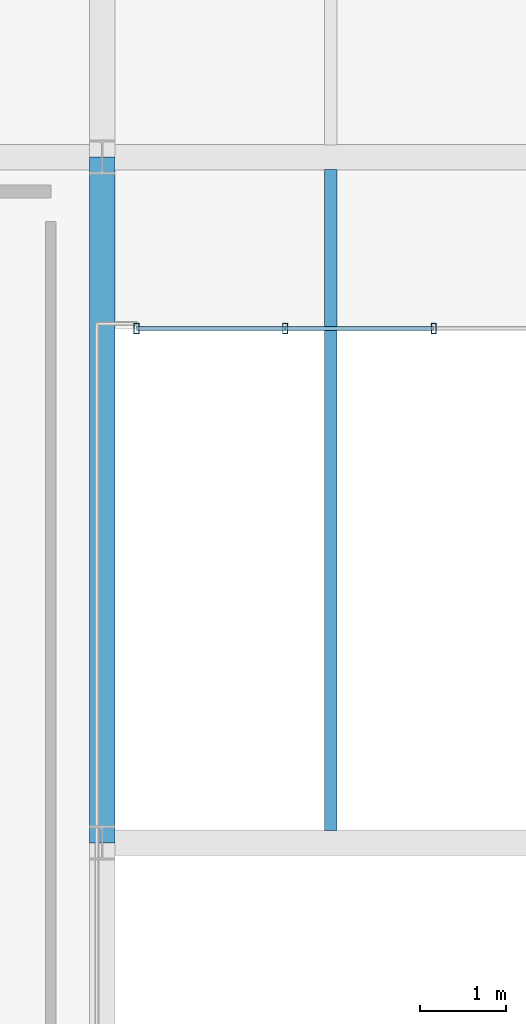
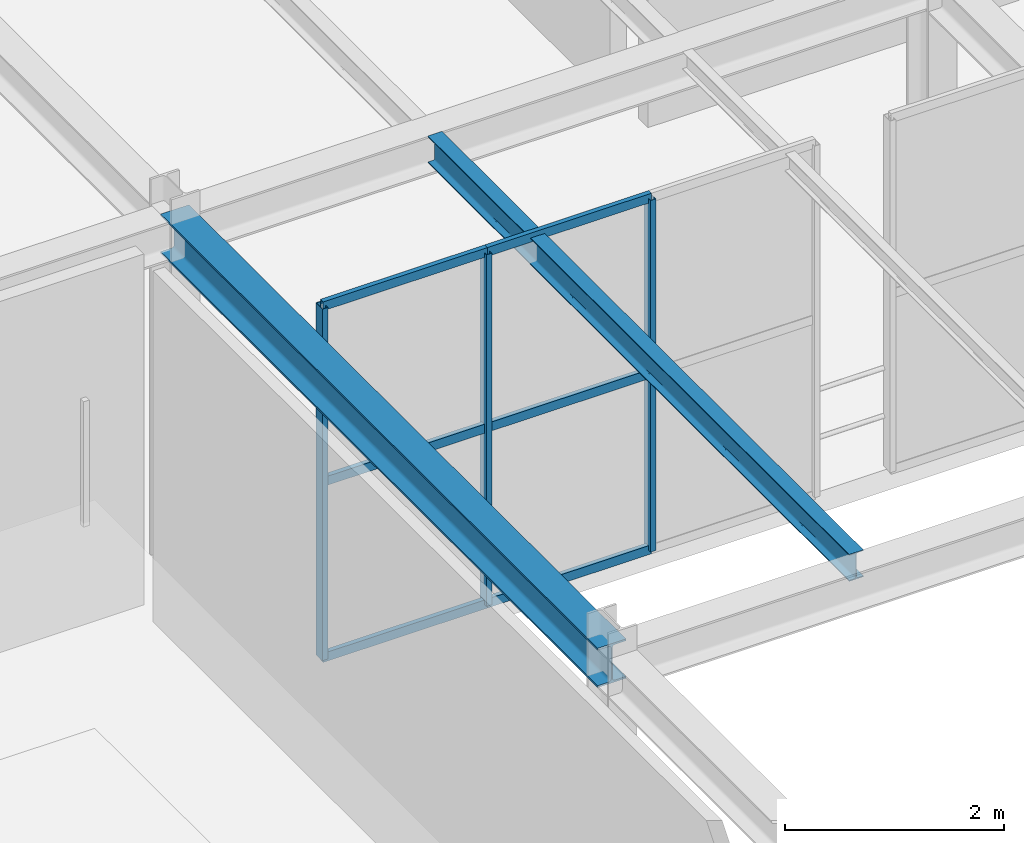
# One storey, part 27 of 67: 9 members, 2 beams, 1 element without a shape of its own.
"""IFC4 building model written with IfcOpenShell, lengths in metres."""

from ifc_helpers import new_model, si_unit, direction, frame, origin, origin_2d, place, context, subcontext, project, spatial, hollow_rectangle, i_section, extrude, material, material_profile, profile_set, type_object, element, aggregate, save


model = new_model("IFC4")

# Units and contexts
model_context = context("Model", 3, precision=1e-05, world=origin(), true_north=direction((0.0, 1.0)))
body_context = subcontext(model_context, "Body", "Model", "MODEL_VIEW")
ifc_project = project(units=[si_unit("LENGTHUNIT", "METRE"), si_unit("AREAUNIT", "SQUARE_METRE"), si_unit("VOLUMEUNIT", "CUBIC_METRE"), si_unit("PLANEANGLEUNIT", "RADIAN"), si_unit("MASSUNIT", "GRAM", prefix="KILO")], contexts=[model_context])

# Site, building, storey
site_placement = place(None, origin())
site = spatial("IfcSite", under=ifc_project, at=site_placement, CompositionType="ELEMENT")
building_placement = place(site_placement, origin())
building = spatial("IfcBuilding", under=site, at=building_placement, Name="Sundkrona Museum", CompositionType="ELEMENT")
storey_placement = place(building_placement, frame((0.0, 0.0, 21.800048828125)))
storey = spatial("IfcBuildingStorey", under=building, at=storey_placement, Name="L04", CompositionType="ELEMENT", Elevation=21.800048828125)

# Beams
ifc_material_1 = material(Name="Steel S355J2", Category="steel")
ifc_material_profile_1 = material_profile(ifc_material_1, i_section(OverallWidth=0.300048828125, OverallDepth=0.43994140625, WebThickness=0.011474609375, FlangeThickness=0.02099609375, FilletRadius=0.027099609375, at=origin_2d()), Name="HEA 450")
ifc_profile_set_1 = profile_set([ifc_material_profile_1], Name="Steel S355J2")
beam_type_1 = type_object("IfcBeamType", Name="B-HEA450", PredefinedType="BEAM", material=ifc_profile_set_1)
beam_1_placement = place(storey_placement, frame((136.0, 24.0, 3.699951171875), z_axis=(0.0, 1.0, 0.0), x_axis=(-1.0, 0.0, 0.0)))
element("IfcBeam", 1, at=beam_1_placement, inside=storey, type_object=beam_type_1, Name="L04 Girder Y-1751", PredefinedType="BEAM", context=body_context, shape_type="SweptSolid", body=[
    extrude(i_section(OverallWidth=0.300048828125, OverallDepth=0.43994140625, WebThickness=0.011474609375, FlangeThickness=0.02099609375, FilletRadius=0.027099609375, at=origin_2d()), origin(), (0.0, 0.0, 1.0), 8.0),
])
ifc_material_profile_2 = material_profile(ifc_material_1, i_section(OverallWidth=0.14990234375, OverallDepth=0.300048828125, WebThickness=0.007080078125, FlangeThickness=0.0107421875, FilletRadius=0.014892578125, at=origin_2d()), Name="IPE 300")
ifc_profile_set_2 = profile_set([ifc_material_profile_2], Name="Steel S355J2")
beam_type_2 = type_object("IfcBeamType", Name="J-IPE300", PredefinedType="JOIST", material=ifc_profile_set_2)
beam_2_placement = place(storey_placement, frame((138.666748046875, 24.14404296875, 3.77001953125), z_axis=(0.0, 1.0, 0.0), x_axis=(-1.0, 0.0, 0.0)))
element("IfcBeam", 2, at=beam_2_placement, inside=storey, type_object=beam_type_2, Name="L04 Composite Joist 1199", PredefinedType="JOIST", context=body_context, shape_type="SweptSolid", body=[
    extrude(i_section(OverallWidth=0.14990234375, OverallDepth=0.300048828125, WebThickness=0.007080078125, FlangeThickness=0.0107421875, FilletRadius=0.014892578125, at=origin_2d()), origin(), (0.0, 0.0, 1.0), 7.7119140625),
])

# Curtain wall, members
ifc_material_2 = material(Name="Unitised Aluminium-Steel and Ceramic-Clad Curtain Walling", Category="steel")
curtain_wall_type = type_object("IfcCurtainWallType", Name="CW-SC-52x38", PredefinedType="NOTDEFINED", material=ifc_material_2)
curtain_wall_placement = place(storey_placement, origin())
curtain_wall = element("IfcCurtainWall", 3, at=curtain_wall_placement, inside=storey, type_object=curtain_wall_type, Name="L04 Curtain Wall CW-L04-014", PredefinedType="NOTDEFINED")
ifc_material_3 = material(Name="Aluminium EN AW-6060 T66", Category="aluminium")
ifc_material_profile_3 = material_profile(ifc_material_3, hollow_rectangle(XDim=0.06005859375, YDim=0.1201171875, WallThickness=0.0048828125, at=origin_2d()), Name="RHS 120x60x5.0")
ifc_profile_set_3 = profile_set([ifc_material_profile_3], Name="Aluminium EN AW-6060 T66")
member_type_1 = type_object("IfcMemberType", Name="ML-120", PredefinedType="MULLION", material=ifc_profile_set_3)
member_1_placement = place(storey_placement, frame((136.39990234375, 30.0, -0.004150390625), z_axis=(0.0, 0.0, 1.0), x_axis=(1.0, 0.0, 0.0)))
member_1 = element("IfcMember", 4, at=member_1_placement, type_object=member_type_1, Name="CW-L04-014 Mullion 01", PredefinedType="MULLION", context=body_context, shape_type="SweptSolid", body=[
    extrude(hollow_rectangle(XDim=0.06005859375, YDim=0.1201171875, WallThickness=0.0048828125, at=origin_2d()), origin(), (0.0, 0.0, 1.0), 3.92822265625),
])
member_2_placement = place(storey_placement, frame((138.13330078125, 30.0, -0.004150390625), z_axis=(0.0, 0.0, 1.0), x_axis=(1.0, 0.0, 0.0)))
member_2 = element("IfcMember", 5, at=member_2_placement, type_object=member_type_1, Name="CW-L04-014 Mullion 02", PredefinedType="MULLION", context=body_context, shape_type="SweptSolid", body=[
    extrude(hollow_rectangle(XDim=0.06005859375, YDim=0.1201171875, WallThickness=0.0048828125, at=origin_2d()), origin(), (0.0, 0.0, 1.0), 3.92822265625),
])
member_3_placement = place(storey_placement, frame((139.86669921875, 30.0, -0.004150390625), z_axis=(0.0, 0.0, 1.0), x_axis=(1.0, 0.0, 0.0)))
member_3 = element("IfcMember", 6, at=member_3_placement, type_object=member_type_1, Name="CW-L04-014 Mullion 03", PredefinedType="MULLION", context=body_context, shape_type="SweptSolid", body=[
    extrude(hollow_rectangle(XDim=0.06005859375, YDim=0.1201171875, WallThickness=0.0048828125, at=origin_2d()), origin(), (0.0, 0.0, 1.0), 3.92822265625),
])
ifc_material_profile_4 = material_profile(ifc_material_3, hollow_rectangle(XDim=0.050048828125, YDim=0.10009765625, WallThickness=0.0048828125, at=origin_2d()), Name="RHS 100x50x5.0")
ifc_profile_set_4 = profile_set([ifc_material_profile_4], Name="Aluminium EN AW-6060 T66")
member_type_2 = type_object("IfcMemberType", Name="TR-100", PredefinedType="USERDEFINED", material=ifc_profile_set_4)
member_4_placement = place(storey_placement, frame((136.39990234375, 30.0, -0.004150390625), z_axis=(1.0, 0.0, 0.0), x_axis=(0.0, 1.0, 0.0)))
member_4 = element("IfcMember", 7, at=member_4_placement, type_object=member_type_2, Name="CW-L04-014 Transom 01", ObjectType="TRANSOM", PredefinedType="USERDEFINED", context=body_context, shape_type="SweptSolid", body=[
    extrude(hollow_rectangle(XDim=0.050048828125, YDim=0.10009765625, WallThickness=0.0048828125, at=origin_2d()), origin(), (0.0, 0.0, 1.0), 1.7333984375),
])
member_5_placement = place(storey_placement, frame((136.39990234375, 30.0, 1.9599609375), z_axis=(1.0, 0.0, 0.0), x_axis=(0.0, 1.0, 0.0)))
member_5 = element("IfcMember", 8, at=member_5_placement, type_object=member_type_2, Name="CW-L04-014 Transom 02", ObjectType="TRANSOM", PredefinedType="USERDEFINED", context=body_context, shape_type="SweptSolid", body=[
    extrude(hollow_rectangle(XDim=0.050048828125, YDim=0.10009765625, WallThickness=0.0048828125, at=origin_2d()), origin(), (0.0, 0.0, 1.0), 1.7333984375),
])
member_6_placement = place(storey_placement, frame((136.39990234375, 30.0, 3.924072265625), z_axis=(1.0, 0.0, 0.0), x_axis=(0.0, 1.0, 0.0)))
member_6 = element("IfcMember", 9, at=member_6_placement, type_object=member_type_2, Name="CW-L04-014 Transom 03", ObjectType="TRANSOM", PredefinedType="USERDEFINED", context=body_context, shape_type="SweptSolid", body=[
    extrude(hollow_rectangle(XDim=0.050048828125, YDim=0.10009765625, WallThickness=0.0048828125, at=origin_2d()), origin(), (0.0, 0.0, 1.0), 1.7333984375),
])
member_7_placement = place(storey_placement, frame((138.13330078125, 30.0, -0.004150390625), z_axis=(1.0, 0.0, 0.0), x_axis=(0.0, 1.0, 0.0)))
member_7 = element("IfcMember", 10, at=member_7_placement, type_object=member_type_2, Name="CW-L04-014 Transom 04", ObjectType="TRANSOM", PredefinedType="USERDEFINED", context=body_context, shape_type="SweptSolid", body=[
    extrude(hollow_rectangle(XDim=0.050048828125, YDim=0.10009765625, WallThickness=0.0048828125, at=origin_2d()), origin(), (0.0, 0.0, 1.0), 1.7333984375),
])
member_8_placement = place(storey_placement, frame((138.13330078125, 30.0, 1.9599609375), z_axis=(1.0, 0.0, 0.0), x_axis=(0.0, 1.0, 0.0)))
member_8 = element("IfcMember", 11, at=member_8_placement, type_object=member_type_2, Name="CW-L04-014 Transom 05", ObjectType="TRANSOM", PredefinedType="USERDEFINED", context=body_context, shape_type="SweptSolid", body=[
    extrude(hollow_rectangle(XDim=0.050048828125, YDim=0.10009765625, WallThickness=0.0048828125, at=origin_2d()), origin(), (0.0, 0.0, 1.0), 1.7333984375),
])
member_9_placement = place(storey_placement, frame((138.13330078125, 30.0, 3.924072265625), z_axis=(1.0, 0.0, 0.0), x_axis=(0.0, 1.0, 0.0)))
member_9 = element("IfcMember", 12, at=member_9_placement, type_object=member_type_2, Name="CW-L04-014 Transom 06", ObjectType="TRANSOM", PredefinedType="USERDEFINED", context=body_context, shape_type="SweptSolid", body=[
    extrude(hollow_rectangle(XDim=0.050048828125, YDim=0.10009765625, WallThickness=0.0048828125, at=origin_2d()), origin(), (0.0, 0.0, 1.0), 1.7333984375),
])
aggregate(curtain_wall, [member_1, member_2, member_3, member_4, member_5, member_6, member_7, member_8, member_9])

save(model, "model.ifc")
